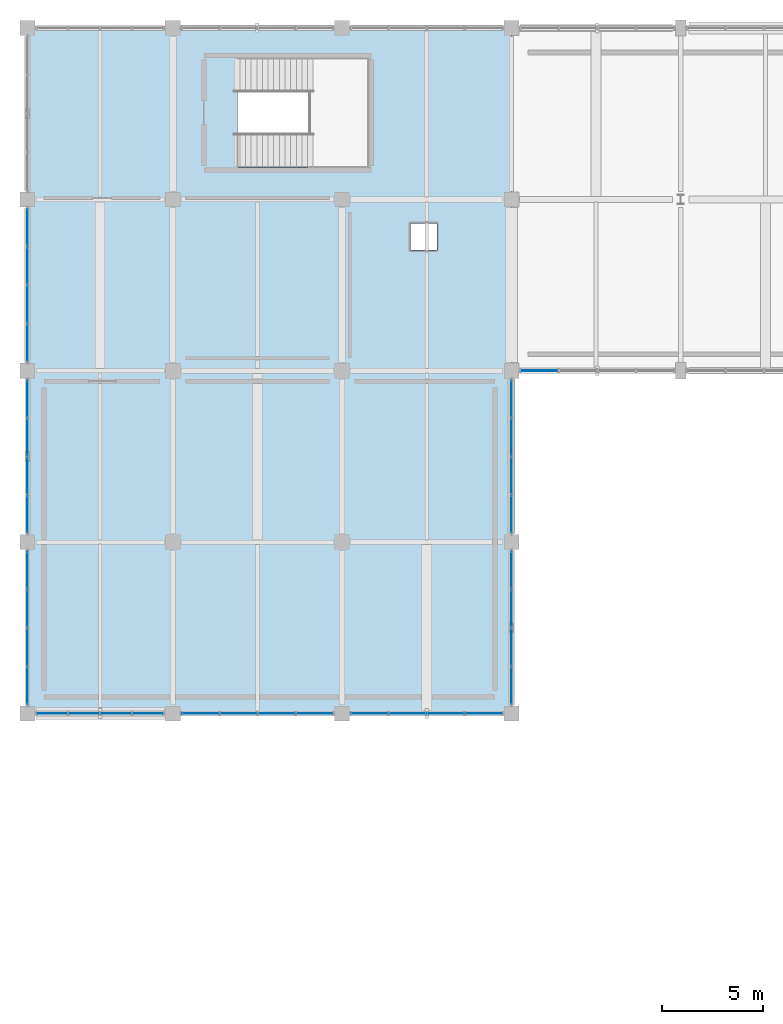
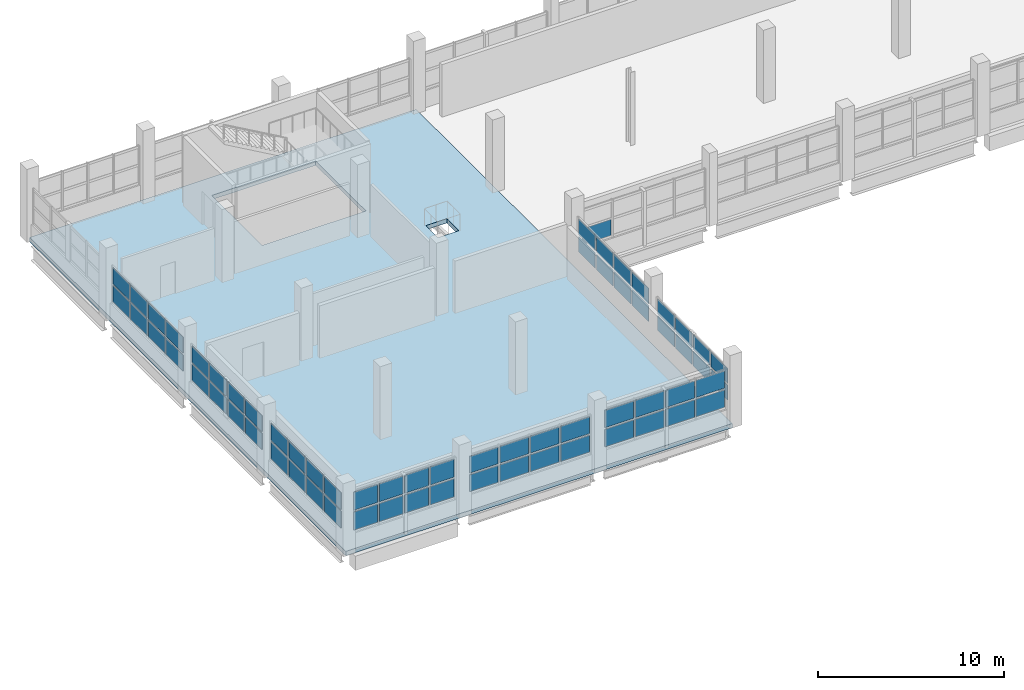
# One storey, part 88 of 117: 65 plates, 1 slab, 9 elements without a shape of their own.
"""IFC4 building model written with IfcOpenShell, lengths in metres."""

import ifcopenshell
import ifcopenshell.guid

model = None  # the IFC model being written
_history = None  # IfcOwnerHistory: only IFC2X3 demands one
_inside = {}  # id of a spatial element -> (the spatial element, [elements in it])
_under = {}  # id of a project, library or spatial element -> (it, [spatial elements below it])
_declared = {}  # id of a project -> (the project, [libraries it declares])
_typed = {}  # id of a type object -> (the type object, [elements of that type])
_made_of = {}  # id of a material, layer set ... -> (it, [elements and type objects made of it])


def new_model(schema):
    """Start an empty IFC model of exactly this schema.

    Asked for "IFC4X3", IfcOpenShell would pick the latest addendum, in which some entities
    have other attributes; the version numbers below select the first issue.
    IFC2X3 requires an IfcOwnerHistory on every rooted entity: one is made here for all.
    """
    global model, _history
    if schema == "IFC4X3":
        model = ifcopenshell.file(schema_version=(4, 3, 0, 0))
    else:
        model = ifcopenshell.file(schema=schema)
    _inside.clear()
    _under.clear()
    _declared.clear()
    _typed.clear()
    _made_of.clear()
    _history = None
    if model.schema == "IFC2X3":
        org = make("IfcOrganization", Name="unknown")
        user = make(
            "IfcPersonAndOrganization",
            ThePerson=make("IfcPerson", FamilyName="unknown"),
            TheOrganization=org,
        )
        app = make(
            "IfcApplication",
            ApplicationDeveloper=org,
            Version="unknown",
            ApplicationFullName="unknown",
            ApplicationIdentifier="unknown",
        )
        _history = make(
            "IfcOwnerHistory",
            OwningUser=user,
            OwningApplication=app,
            ChangeAction="ADDED",
            CreationDate=0,
        )
    return model


def make(cls, **values):
    """One entity of the class cls with the attributes given. An attribute that is None is left unset."""
    return model.create_entity(
        cls, **{name: value for name, value in values.items() if value is not None}
    )


def rooted(cls, **values):
    """An entity with a GlobalId (a new one), such as an element, a storey or a relation."""
    return make(cls, GlobalId=ifcopenshell.guid.new(), OwnerHistory=_history, **values)


def si_unit(unit_type, name, prefix=None):
    """IfcSIUnit, for example si_unit("LENGTHUNIT", "METRE", prefix="MILLI")."""
    return make("IfcSIUnit", UnitType=unit_type, Prefix=prefix, Name=name)


def assignment(units):
    """IfcUnitAssignment: the units of a project."""
    return None if units is None else make("IfcUnitAssignment", Units=units)


def point(xyz):
    """IfcCartesianPoint."""
    return None if xyz is None else make("IfcCartesianPoint", Coordinates=xyz)


def direction(xyz):
    """IfcDirection."""
    return None if xyz is None else make("IfcDirection", DirectionRatios=xyz)


def frame(location, z_axis=None, x_axis=None):
    """IfcAxis2Placement3D, a coordinate frame: its origin and axes. An axis left out is left unset."""
    return make(
        "IfcAxis2Placement3D",
        Location=point(location),
        Axis=direction(z_axis),
        RefDirection=direction(x_axis),
    )


def frame_2d(location, x_axis=None):
    """IfcAxis2Placement2D, a coordinate frame in the plane: its origin and x axis."""
    return make(
        "IfcAxis2Placement2D", Location=point(location), RefDirection=direction(x_axis)
    )


def origin():
    """The frame at (0, 0, 0) with its axes left unset."""
    return frame((0.0, 0.0, 0.0))


def origin_2d():
    """The frame at (0, 0) in the plane with its x axis left unset."""
    return frame_2d((0.0, 0.0))


def place(relative_to, where):
    """IfcLocalPlacement: puts the frame where relative to a parent placement (None: the world)."""
    return make(
        "IfcLocalPlacement", PlacementRelTo=relative_to, RelativePlacement=where
    )


def context(
    kind, dimensions, precision=None, world=None, true_north=None, identifier=None
):
    """IfcGeometricRepresentationContext, for example the 3D "Model" context."""
    return make(
        "IfcGeometricRepresentationContext",
        ContextIdentifier=identifier,
        ContextType=kind,
        CoordinateSpaceDimension=dimensions,
        Precision=precision,
        WorldCoordinateSystem=world,
        TrueNorth=true_north,
    )


def subcontext(parent, identifier, kind, view, scale=None):
    """IfcGeometricRepresentationSubContext, for example "Body" below "Model"."""
    return make(
        "IfcGeometricRepresentationSubContext",
        ContextIdentifier=identifier,
        ContextType=kind,
        ParentContext=parent,
        TargetScale=scale,
        TargetView=view,
    )


def project(units=None, contexts=None):
    """IfcProject with its units and contexts."""
    return rooted(
        "IfcProject",
        Name="project",
        RepresentationContexts=contexts,
        UnitsInContext=assignment(units),
    )


def spatial(cls, under=None, at=None, **own):
    """A site, building, storey or space (cls), placed at a placement, below another one or the project."""
    s = rooted(cls, ObjectPlacement=at, **own)
    if under is not None:
        _under.setdefault(under.id(), (under, []))[1].append(s)
    return s


def polyline(points):
    """IfcPolyline through the points."""
    return make("IfcPolyline", Points=[point(p) for p in points])


def profile(cls, at=None, kind="AREA", **sizes):
    """A parametric profile (cls). Its sizes go by their IFC names, for example OverallWidth=200.0."""
    return make(cls, ProfileType=kind, Position=at, **sizes)


def rectangle(**sizes):
    """IfcRectangleProfileDef."""
    return profile("IfcRectangleProfileDef", **sizes)


def outline(outer, holes=None, kind="AREA"):
    """IfcArbitraryClosedProfileDef: a profile drawn as a closed curve; with holes, ...WithVoids."""
    if holes is None:
        return make("IfcArbitraryClosedProfileDef", ProfileType=kind, OuterCurve=outer)
    return make(
        "IfcArbitraryProfileDefWithVoids",
        ProfileType=kind,
        OuterCurve=outer,
        InnerCurves=holes,
    )


def extrude(swept, where, along, depth):
    """IfcExtrudedAreaSolid: the profile swept, set in the frame where, extruded along a direction by depth."""
    return make(
        "IfcExtrudedAreaSolid",
        SweptArea=swept,
        Position=where,
        ExtrudedDirection=direction(along),
        Depth=depth,
    )


def shape(context_of_items, identifier, shape_type, items):
    """IfcShapeRepresentation: the items that make up one representation, for example the "Body"."""
    return make(
        "IfcShapeRepresentation",
        ContextOfItems=context_of_items,
        RepresentationIdentifier=identifier,
        RepresentationType=shape_type,
        Items=items,
    )


def material(Name=None, Category=None):
    """IfcMaterial."""
    return make("IfcMaterial", Name=Name, Category=Category)


def layer(
    of_material, thickness, ventilated=None, Name=None, Category=None, Priority=None
):
    """IfcMaterialLayer: one layer of a wall or slab, of a material (None: an air gap)."""
    return make(
        "IfcMaterialLayer",
        Material=of_material,
        LayerThickness=thickness,
        IsVentilated=ventilated,
        Name=Name,
        Category=Category,
        Priority=Priority,
    )


def layer_set(layers, Name=None):
    """IfcMaterialLayerSet."""
    return make("IfcMaterialLayerSet", MaterialLayers=layers, LayerSetName=Name)


def made_of(thing, what):
    """Note that an element or type object is made of a material, layer set ...; save() writes the relation."""
    if what is not None:
        _made_of.setdefault(what.id(), (what, []))[1].append(thing)
    return thing


def type_object(cls, material=None, **own):
    """A type object (cls), such as IfcWallType, which elements share."""
    return made_of(rooted(cls, **own), material)


def element(
    cls,
    number,
    at=None,
    inside=None,
    cuts=None,
    type_object=None,
    material=None,
    context=None,
    identifier="Body",
    shape_type=None,
    held_by="IfcProductDefinitionShape",
    body=None,
    shapes=None,
    **own,
):
    """One element of the class cls, such as IfcWall. Its Tag is "e" and its number.

    at: its placement. inside: the storey or other place that contains it. cuts: it is an
    opening in that element (IfcRelVoidsElement). A single representation is given by context,
    identifier, shape_type and body (its items); several are given by shapes. held_by: the class
    of the entity that holds the representations. save() writes the other relations.
    """
    e = rooted(cls, Tag="e%d" % number, ObjectPlacement=at, **own)
    if body is not None:
        shapes = [shape(context, identifier, shape_type, body)]
    if shapes is not None:
        e.Representation = make(held_by, Representations=shapes)
    if inside is not None:
        _inside.setdefault(inside.id(), (inside, []))[1].append(e)
    if cuts is not None:
        rooted(
            "IfcRelVoidsElement", RelatingBuildingElement=cuts, RelatedOpeningElement=e
        )
    if type_object is not None:
        _typed.setdefault(type_object.id(), (type_object, []))[1].append(e)
    return made_of(e, material)


def aggregate(whole, parts):
    """IfcRelAggregates: a whole, such as a stair, and the parts it consists of."""
    return rooted("IfcRelAggregates", RelatingObject=whole, RelatedObjects=parts)


def save(model, path):
    """Write the relations noted so far, then the file.

    IfcRelAggregates (storeys below a building ...), IfcRelContainedInSpatialStructure (elements
    in a storey), IfcRelDefinesByType, IfcRelAssociatesMaterial and IfcRelDeclares: one each for
    every whole, place, type object, material and project.
    """
    for whole, parts in _under.values():
        aggregate(whole, parts)
    for where, things in _inside.values():
        rooted(
            "IfcRelContainedInSpatialStructure",
            RelatedElements=things,
            RelatingStructure=where,
        )
    for kind, things in _typed.values():
        rooted("IfcRelDefinesByType", RelatedObjects=things, RelatingType=kind)
    for what, things in _made_of.values():
        rooted("IfcRelAssociatesMaterial", RelatedObjects=things, RelatingMaterial=what)
    for by, libraries in _declared.values():
        rooted("IfcRelDeclares", RelatingContext=by, RelatedDefinitions=libraries)
    model.write(path)


model = new_model("IFC4")

# Units and contexts
model_context = context("Model", 3, precision=1e-05, world=origin(), true_north=direction((0.0, 1.0)))
body_context = subcontext(model_context, "Body", "Model", "MODEL_VIEW")
ifc_project = project(units=[si_unit("LENGTHUNIT", "METRE"), si_unit("AREAUNIT", "SQUARE_METRE"), si_unit("VOLUMEUNIT", "CUBIC_METRE"), si_unit("PLANEANGLEUNIT", "RADIAN"), si_unit("MASSUNIT", "GRAM", prefix="KILO")], contexts=[model_context])

# Site, building, storey
site_placement = place(None, origin())
site = spatial("IfcSite", under=ifc_project, at=site_placement, CompositionType="ELEMENT")
building_placement = place(site_placement, origin())
building = spatial("IfcBuilding", under=site, at=building_placement, Name="Solvento Point Concert Hall", CompositionType="ELEMENT")
storey_placement = place(building_placement, frame((0.0, 0.0, 5.39990234375)))
storey = spatial("IfcBuildingStorey", under=building, at=storey_placement, Name="L01", CompositionType="ELEMENT", Elevation=5.39990234375)

# Curtain wall, plates
ifc_material_1 = material(Name="Anodized Bronze Aluminium", Category="aluminium")
curtain_wall_type = type_object("IfcCurtainWallType", Name="CurtainWall_CourtPilotis", PredefinedType="USERDEFINED", material=ifc_material_1)
curtain_wall_1_placement = place(storey_placement, origin())
curtain_wall_1 = element("IfcCurtainWall", 1, at=curtain_wall_1_placement, inside=storey, type_object=curtain_wall_type, Name="Unitised curtain wall CW-96 UCW-L01-119", ObjectType="UNITISED CURTAIN WALL", PredefinedType="USERDEFINED")
ifc_material_2 = material(Name="Hurricane Laminated Low-E Glass", Category="glass")
plate_type = type_object("IfcPlateType", Name="CurtainPanel_CourtPilotis", PredefinedType="CURTAIN_PANEL", material=ifc_material_2)
plate_1_placement = place(storey_placement, frame((0.0, 103.381103515625, 1.239990234375), z_axis=(0.0, 0.0, 1.0), x_axis=(0.0, 1.0, 0.0)))
plate_1 = element("IfcPlate", 2, at=plate_1_placement, type_object=plate_type, Name="Glazed curtain panel GL-06", PredefinedType="CURTAIN_PANEL", context=body_context, shape_type="SweptSolid", body=[
    extrude(rectangle(XDim=1.79248046875, YDim=0.030029296875, at=origin_2d()), origin(), (0.0, 0.0, 1.0), 1.10205078125),
])
plate_2_placement = place(storey_placement, frame((0.0, 103.381103515625, 2.462158203125), z_axis=(0.0, 0.0, 1.0), x_axis=(0.0, 1.0, 0.0)))
plate_2 = element("IfcPlate", 3, at=plate_2_placement, type_object=plate_type, Name="Glazed curtain panel GL-06", PredefinedType="CURTAIN_PANEL", context=body_context, shape_type="SweptSolid", body=[
    extrude(rectangle(XDim=1.79248046875, YDim=0.030029296875, at=origin_2d()), origin(), (0.0, 0.0, 1.0), 1.10205078125),
])
plate_3_placement = place(storey_placement, frame((0.0, 105.293701171875, 1.239990234375), z_axis=(0.0, 0.0, 1.0), x_axis=(0.0, 1.0, 0.0)))
plate_3 = element("IfcPlate", 4, at=plate_3_placement, type_object=plate_type, Name="Glazed curtain panel GL-06", PredefinedType="CURTAIN_PANEL", context=body_context, shape_type="SweptSolid", body=[
    extrude(rectangle(XDim=1.79248046875, YDim=0.030029296875, at=origin_2d()), origin(), (0.0, 0.0, 1.0), 1.10205078125),
])
plate_4_placement = place(storey_placement, frame((0.0, 105.293701171875, 2.462158203125), z_axis=(0.0, 0.0, 1.0), x_axis=(0.0, 1.0, 0.0)))
plate_4 = element("IfcPlate", 5, at=plate_4_placement, type_object=plate_type, Name="Glazed curtain panel GL-06", PredefinedType="CURTAIN_PANEL", context=body_context, shape_type="SweptSolid", body=[
    extrude(rectangle(XDim=1.79248046875, YDim=0.030029296875, at=origin_2d()), origin(), (0.0, 0.0, 1.0), 1.10205078125),
])
plate_5_placement = place(storey_placement, frame((0.0, 107.206298828125, 1.239990234375), z_axis=(0.0, 0.0, 1.0), x_axis=(0.0, 1.0, 0.0)))
plate_5 = element("IfcPlate", 6, at=plate_5_placement, type_object=plate_type, Name="Glazed curtain panel GL-06", PredefinedType="CURTAIN_PANEL", context=body_context, shape_type="SweptSolid", body=[
    extrude(rectangle(XDim=1.79248046875, YDim=0.030029296875, at=origin_2d()), origin(), (0.0, 0.0, 1.0), 1.10205078125),
])
plate_6_placement = place(storey_placement, frame((0.0, 107.206298828125, 2.462158203125), z_axis=(0.0, 0.0, 1.0), x_axis=(0.0, 1.0, 0.0)))
plate_6 = element("IfcPlate", 7, at=plate_6_placement, type_object=plate_type, Name="Glazed curtain panel GL-06", PredefinedType="CURTAIN_PANEL", context=body_context, shape_type="SweptSolid", body=[
    extrude(rectangle(XDim=1.79248046875, YDim=0.030029296875, at=origin_2d()), origin(), (0.0, 0.0, 1.0), 1.10205078125),
])
plate_7_placement = place(storey_placement, frame((0.0, 109.118896484375, 1.239990234375), z_axis=(0.0, 0.0, 1.0), x_axis=(0.0, 1.0, 0.0)))
plate_7 = element("IfcPlate", 8, at=plate_7_placement, type_object=plate_type, Name="Glazed curtain panel GL-06", PredefinedType="CURTAIN_PANEL", context=body_context, shape_type="SweptSolid", body=[
    extrude(rectangle(XDim=1.79248046875, YDim=0.030029296875, at=origin_2d()), origin(), (0.0, 0.0, 1.0), 1.10205078125),
])
plate_8_placement = place(storey_placement, frame((0.0, 109.118896484375, 2.462158203125), z_axis=(0.0, 0.0, 1.0), x_axis=(0.0, 1.0, 0.0)))
plate_8 = element("IfcPlate", 9, at=plate_8_placement, type_object=plate_type, Name="Glazed curtain panel GL-06", PredefinedType="CURTAIN_PANEL", context=body_context, shape_type="SweptSolid", body=[
    extrude(rectangle(XDim=1.79248046875, YDim=0.030029296875, at=origin_2d()), origin(), (0.0, 0.0, 1.0), 1.10205078125),
])
aggregate(curtain_wall_1, [plate_1, plate_2, plate_3, plate_4, plate_5, plate_6, plate_7, plate_8])

curtain_wall_2_placement = place(storey_placement, origin())
curtain_wall_2 = element("IfcCurtainWall", 10, at=curtain_wall_2_placement, inside=storey, type_object=curtain_wall_type, Name="Unitised curtain wall CW-96 UCW-L01-120", ObjectType="UNITISED CURTAIN WALL", PredefinedType="USERDEFINED")
plate_9_placement = place(storey_placement, frame((0.0, 111.881103515625, 1.239990234375), z_axis=(0.0, 0.0, 1.0), x_axis=(0.0, 1.0, 0.0)))
plate_9 = element("IfcPlate", 11, at=plate_9_placement, type_object=plate_type, Name="Glazed curtain panel GL-06", PredefinedType="CURTAIN_PANEL", context=body_context, shape_type="SweptSolid", body=[
    extrude(rectangle(XDim=1.79248046875, YDim=0.030029296875, at=origin_2d()), origin(), (0.0, 0.0, 1.0), 1.0576171875),
])
plate_10_placement = place(storey_placement, frame((0.0, 111.881103515625, 2.41748046875), z_axis=(0.0, 0.0, 1.0), x_axis=(0.0, 1.0, 0.0)))
plate_10 = element("IfcPlate", 12, at=plate_10_placement, type_object=plate_type, Name="Glazed curtain panel GL-06", PredefinedType="CURTAIN_PANEL", context=body_context, shape_type="SweptSolid", body=[
    extrude(rectangle(XDim=1.79248046875, YDim=0.030029296875, at=origin_2d()), origin(), (0.0, 0.0, 1.0), 1.0576171875),
])
plate_11_placement = place(storey_placement, frame((0.0, 113.793701171875, 1.239990234375), z_axis=(0.0, 0.0, 1.0), x_axis=(0.0, 1.0, 0.0)))
plate_11 = element("IfcPlate", 13, at=plate_11_placement, type_object=plate_type, Name="Glazed curtain panel GL-06", PredefinedType="CURTAIN_PANEL", context=body_context, shape_type="SweptSolid", body=[
    extrude(rectangle(XDim=1.79248046875, YDim=0.030029296875, at=origin_2d()), origin(), (0.0, 0.0, 1.0), 1.0576171875),
])
plate_12_placement = place(storey_placement, frame((0.0, 113.793701171875, 2.41748046875), z_axis=(0.0, 0.0, 1.0), x_axis=(0.0, 1.0, 0.0)))
plate_12 = element("IfcPlate", 14, at=plate_12_placement, type_object=plate_type, Name="Glazed curtain panel GL-06", PredefinedType="CURTAIN_PANEL", context=body_context, shape_type="SweptSolid", body=[
    extrude(rectangle(XDim=1.79248046875, YDim=0.030029296875, at=origin_2d()), origin(), (0.0, 0.0, 1.0), 1.0576171875),
])
plate_13_placement = place(storey_placement, frame((0.0, 115.706298828125, 1.239990234375), z_axis=(0.0, 0.0, 1.0), x_axis=(0.0, 1.0, 0.0)))
plate_13 = element("IfcPlate", 15, at=plate_13_placement, type_object=plate_type, Name="Glazed curtain panel GL-06", PredefinedType="CURTAIN_PANEL", context=body_context, shape_type="SweptSolid", body=[
    extrude(rectangle(XDim=1.79248046875, YDim=0.030029296875, at=origin_2d()), origin(), (0.0, 0.0, 1.0), 1.0576171875),
])
plate_14_placement = place(storey_placement, frame((0.0, 115.706298828125, 2.41748046875), z_axis=(0.0, 0.0, 1.0), x_axis=(0.0, 1.0, 0.0)))
plate_14 = element("IfcPlate", 16, at=plate_14_placement, type_object=plate_type, Name="Glazed curtain panel GL-06", PredefinedType="CURTAIN_PANEL", context=body_context, shape_type="SweptSolid", body=[
    extrude(rectangle(XDim=1.79248046875, YDim=0.030029296875, at=origin_2d()), origin(), (0.0, 0.0, 1.0), 1.0576171875),
])
plate_15_placement = place(storey_placement, frame((0.0, 117.618896484375, 1.239990234375), z_axis=(0.0, 0.0, 1.0), x_axis=(0.0, 1.0, 0.0)))
plate_15 = element("IfcPlate", 17, at=plate_15_placement, type_object=plate_type, Name="Glazed curtain panel GL-06", PredefinedType="CURTAIN_PANEL", context=body_context, shape_type="SweptSolid", body=[
    extrude(rectangle(XDim=1.79248046875, YDim=0.030029296875, at=origin_2d()), origin(), (0.0, 0.0, 1.0), 1.0576171875),
])
plate_16_placement = place(storey_placement, frame((0.0, 117.618896484375, 2.41748046875), z_axis=(0.0, 0.0, 1.0), x_axis=(0.0, 1.0, 0.0)))
plate_16 = element("IfcPlate", 18, at=plate_16_placement, type_object=plate_type, Name="Glazed curtain panel GL-06", PredefinedType="CURTAIN_PANEL", context=body_context, shape_type="SweptSolid", body=[
    extrude(rectangle(XDim=1.79248046875, YDim=0.030029296875, at=origin_2d()), origin(), (0.0, 0.0, 1.0), 1.0576171875),
])
aggregate(curtain_wall_2, [plate_9, plate_10, plate_11, plate_12, plate_13, plate_14, plate_15, plate_16])

curtain_wall_3_placement = place(storey_placement, origin())
curtain_wall_3 = element("IfcCurtainWall", 19, at=curtain_wall_3_placement, inside=storey, type_object=curtain_wall_type, Name="Unitised curtain wall CW-96 UCW-L01-121", ObjectType="UNITISED CURTAIN WALL", PredefinedType="USERDEFINED")
plate_17_placement = place(storey_placement, frame((0.0, 120.381103515625, 1.240234375), z_axis=(0.0, 0.0, 1.0), x_axis=(0.0, 1.0, 0.0)))
plate_17 = element("IfcPlate", 20, at=plate_17_placement, type_object=plate_type, Name="Glazed curtain panel GL-06", PredefinedType="CURTAIN_PANEL", context=body_context, shape_type="SweptSolid", body=[
    extrude(rectangle(XDim=1.79248046875, YDim=0.030029296875, at=origin_2d()), origin(), (0.0, 0.0, 1.0), 1.053466796875),
])
plate_18_placement = place(storey_placement, frame((0.0, 120.381103515625, 2.41357421875), z_axis=(0.0, 0.0, 1.0), x_axis=(0.0, 1.0, 0.0)))
plate_18 = element("IfcPlate", 21, at=plate_18_placement, type_object=plate_type, Name="Glazed curtain panel GL-06", PredefinedType="CURTAIN_PANEL", context=body_context, shape_type="SweptSolid", body=[
    extrude(rectangle(XDim=1.79248046875, YDim=0.030029296875, at=origin_2d()), origin(), (0.0, 0.0, 1.0), 1.053466796875),
])
plate_19_placement = place(storey_placement, frame((0.0, 122.293701171875, 1.240234375), z_axis=(0.0, 0.0, 1.0), x_axis=(0.0, 1.0, 0.0)))
plate_19 = element("IfcPlate", 22, at=plate_19_placement, type_object=plate_type, Name="Glazed curtain panel GL-06", PredefinedType="CURTAIN_PANEL", context=body_context, shape_type="SweptSolid", body=[
    extrude(rectangle(XDim=1.79248046875, YDim=0.030029296875, at=origin_2d()), origin(), (0.0, 0.0, 1.0), 1.053466796875),
])
plate_20_placement = place(storey_placement, frame((0.0, 122.293701171875, 2.41357421875), z_axis=(0.0, 0.0, 1.0), x_axis=(0.0, 1.0, 0.0)))
plate_20 = element("IfcPlate", 23, at=plate_20_placement, type_object=plate_type, Name="Glazed curtain panel GL-06", PredefinedType="CURTAIN_PANEL", context=body_context, shape_type="SweptSolid", body=[
    extrude(rectangle(XDim=1.79248046875, YDim=0.030029296875, at=origin_2d()), origin(), (0.0, 0.0, 1.0), 1.053466796875),
])
plate_21_placement = place(storey_placement, frame((0.0, 124.206298828125, 1.240234375), z_axis=(0.0, 0.0, 1.0), x_axis=(0.0, 1.0, 0.0)))
plate_21 = element("IfcPlate", 24, at=plate_21_placement, type_object=plate_type, Name="Glazed curtain panel GL-06", PredefinedType="CURTAIN_PANEL", context=body_context, shape_type="SweptSolid", body=[
    extrude(rectangle(XDim=1.79248046875, YDim=0.030029296875, at=origin_2d()), origin(), (0.0, 0.0, 1.0), 1.053466796875),
])
plate_22_placement = place(storey_placement, frame((0.0, 124.206298828125, 2.41357421875), z_axis=(0.0, 0.0, 1.0), x_axis=(0.0, 1.0, 0.0)))
plate_22 = element("IfcPlate", 25, at=plate_22_placement, type_object=plate_type, Name="Glazed curtain panel GL-06", PredefinedType="CURTAIN_PANEL", context=body_context, shape_type="SweptSolid", body=[
    extrude(rectangle(XDim=1.79248046875, YDim=0.030029296875, at=origin_2d()), origin(), (0.0, 0.0, 1.0), 1.053466796875),
])
plate_23_placement = place(storey_placement, frame((0.0, 126.118896484375, 1.240234375), z_axis=(0.0, 0.0, 1.0), x_axis=(0.0, 1.0, 0.0)))
plate_23 = element("IfcPlate", 26, at=plate_23_placement, type_object=plate_type, Name="Glazed curtain panel GL-06", PredefinedType="CURTAIN_PANEL", context=body_context, shape_type="SweptSolid", body=[
    extrude(rectangle(XDim=1.79248046875, YDim=0.030029296875, at=origin_2d()), origin(), (0.0, 0.0, 1.0), 1.053466796875),
])
plate_24_placement = place(storey_placement, frame((0.0, 126.118896484375, 2.41357421875), z_axis=(0.0, 0.0, 1.0), x_axis=(0.0, 1.0, 0.0)))
plate_24 = element("IfcPlate", 27, at=plate_24_placement, type_object=plate_type, Name="Glazed curtain panel GL-06", PredefinedType="CURTAIN_PANEL", context=body_context, shape_type="SweptSolid", body=[
    extrude(rectangle(XDim=1.79248046875, YDim=0.030029296875, at=origin_2d()), origin(), (0.0, 0.0, 1.0), 1.053466796875),
])
aggregate(curtain_wall_3, [plate_17, plate_18, plate_19, plate_20, plate_21, plate_22, plate_23, plate_24])

# Curtain wall, plate
curtain_wall_4_placement = place(storey_placement, origin())
curtain_wall_4 = element("IfcCurtainWall", 28, at=curtain_wall_4_placement, inside=storey, type_object=curtain_wall_type, Name="Unitised curtain wall CW-96 UCW-L01-134", ObjectType="UNITISED CURTAIN WALL", PredefinedType="USERDEFINED")
plate_25_placement = place(storey_placement, frame((25.384521484375, 119.0, 1.240234375), z_axis=(0.0, 0.0, 1.0), x_axis=(1.0, 0.0, 0.0)))
plate_25 = element("IfcPlate", 29, at=plate_25_placement, type_object=plate_type, Name="Glazed curtain panel GL-06", PredefinedType="CURTAIN_PANEL", context=body_context, shape_type="SweptSolid", body=[
    extrude(rectangle(XDim=1.798828125, YDim=0.030029296875, at=origin_2d()), origin(), (0.0, 0.0, 1.0), 1.053466796875),
])
aggregate(curtain_wall_4, [plate_25])

# Curtain wall, plates
curtain_wall_5_placement = place(storey_placement, origin())
curtain_wall_5 = element("IfcCurtainWall", 30, at=curtain_wall_5_placement, inside=storey, type_object=curtain_wall_type, Name="Unitised curtain wall CW-96 UCW-L01-140", ObjectType="UNITISED CURTAIN WALL", PredefinedType="USERDEFINED")
plate_26_placement = place(storey_placement, frame((24.0, 103.381103515625, 1.239990234375), z_axis=(0.0, 0.0, 1.0), x_axis=(0.0, 1.0, 0.0)))
plate_26 = element("IfcPlate", 31, at=plate_26_placement, type_object=plate_type, Name="Glazed curtain panel GL-06", PredefinedType="CURTAIN_PANEL", context=body_context, shape_type="SweptSolid", body=[
    extrude(rectangle(XDim=1.79248046875, YDim=0.030029296875, at=origin_2d()), origin(), (0.0, 0.0, 1.0), 0.97412109375),
])
plate_27_placement = place(storey_placement, frame((24.0, 103.381103515625, 2.333984375), z_axis=(0.0, 0.0, 1.0), x_axis=(0.0, 1.0, 0.0)))
plate_27 = element("IfcPlate", 32, at=plate_27_placement, type_object=plate_type, Name="Glazed curtain panel GL-06", PredefinedType="CURTAIN_PANEL", context=body_context, shape_type="SweptSolid", body=[
    extrude(rectangle(XDim=1.79248046875, YDim=0.030029296875, at=origin_2d()), origin(), (0.0, 0.0, 1.0), 0.97412109375),
])
plate_28_placement = place(storey_placement, frame((24.0, 105.293701171875, 1.239990234375), z_axis=(0.0, 0.0, 1.0), x_axis=(0.0, 1.0, 0.0)))
plate_28 = element("IfcPlate", 33, at=plate_28_placement, type_object=plate_type, Name="Glazed curtain panel GL-06", PredefinedType="CURTAIN_PANEL", context=body_context, shape_type="SweptSolid", body=[
    extrude(rectangle(XDim=1.79248046875, YDim=0.030029296875, at=origin_2d()), origin(), (0.0, 0.0, 1.0), 0.97412109375),
])
plate_29_placement = place(storey_placement, frame((24.0, 105.293701171875, 2.333984375), z_axis=(0.0, 0.0, 1.0), x_axis=(0.0, 1.0, 0.0)))
plate_29 = element("IfcPlate", 34, at=plate_29_placement, type_object=plate_type, Name="Glazed curtain panel GL-06", PredefinedType="CURTAIN_PANEL", context=body_context, shape_type="SweptSolid", body=[
    extrude(rectangle(XDim=1.79248046875, YDim=0.030029296875, at=origin_2d()), origin(), (0.0, 0.0, 1.0), 0.97412109375),
])
plate_30_placement = place(storey_placement, frame((24.0, 107.206298828125, 1.239990234375), z_axis=(0.0, 0.0, 1.0), x_axis=(0.0, 1.0, 0.0)))
plate_30 = element("IfcPlate", 35, at=plate_30_placement, type_object=plate_type, Name="Glazed curtain panel GL-06", PredefinedType="CURTAIN_PANEL", context=body_context, shape_type="SweptSolid", body=[
    extrude(rectangle(XDim=1.79248046875, YDim=0.030029296875, at=origin_2d()), origin(), (0.0, 0.0, 1.0), 0.97412109375),
])
plate_31_placement = place(storey_placement, frame((24.0, 107.206298828125, 2.333984375), z_axis=(0.0, 0.0, 1.0), x_axis=(0.0, 1.0, 0.0)))
plate_31 = element("IfcPlate", 36, at=plate_31_placement, type_object=plate_type, Name="Glazed curtain panel GL-06", PredefinedType="CURTAIN_PANEL", context=body_context, shape_type="SweptSolid", body=[
    extrude(rectangle(XDim=1.79248046875, YDim=0.030029296875, at=origin_2d()), origin(), (0.0, 0.0, 1.0), 0.97412109375),
])
plate_32_placement = place(storey_placement, frame((24.0, 109.118896484375, 1.239990234375), z_axis=(0.0, 0.0, 1.0), x_axis=(0.0, 1.0, 0.0)))
plate_32 = element("IfcPlate", 37, at=plate_32_placement, type_object=plate_type, Name="Glazed curtain panel GL-06", PredefinedType="CURTAIN_PANEL", context=body_context, shape_type="SweptSolid", body=[
    extrude(rectangle(XDim=1.79248046875, YDim=0.030029296875, at=origin_2d()), origin(), (0.0, 0.0, 1.0), 0.97412109375),
])
plate_33_placement = place(storey_placement, frame((24.0, 109.118896484375, 2.333984375), z_axis=(0.0, 0.0, 1.0), x_axis=(0.0, 1.0, 0.0)))
plate_33 = element("IfcPlate", 38, at=plate_33_placement, type_object=plate_type, Name="Glazed curtain panel GL-06", PredefinedType="CURTAIN_PANEL", context=body_context, shape_type="SweptSolid", body=[
    extrude(rectangle(XDim=1.79248046875, YDim=0.030029296875, at=origin_2d()), origin(), (0.0, 0.0, 1.0), 0.97412109375),
])
aggregate(curtain_wall_5, [plate_26, plate_27, plate_28, plate_29, plate_30, plate_31, plate_32, plate_33])

curtain_wall_6_placement = place(storey_placement, origin())
curtain_wall_6 = element("IfcCurtainWall", 39, at=curtain_wall_6_placement, inside=storey, type_object=curtain_wall_type, Name="Unitised curtain wall CW-96 UCW-L01-141", ObjectType="UNITISED CURTAIN WALL", PredefinedType="USERDEFINED")
plate_34_placement = place(storey_placement, frame((24.0, 111.881103515625, 1.240234375), z_axis=(0.0, 0.0, 1.0), x_axis=(0.0, 1.0, 0.0)))
plate_34 = element("IfcPlate", 40, at=plate_34_placement, type_object=plate_type, Name="Glazed curtain panel GL-06", PredefinedType="CURTAIN_PANEL", context=body_context, shape_type="SweptSolid", body=[
    extrude(rectangle(XDim=1.79248046875, YDim=0.030029296875, at=origin_2d()), origin(), (0.0, 0.0, 1.0), 1.027099609375),
])
plate_35_placement = place(storey_placement, frame((24.0, 111.881103515625, 2.38720703125), z_axis=(0.0, 0.0, 1.0), x_axis=(0.0, 1.0, 0.0)))
plate_35 = element("IfcPlate", 41, at=plate_35_placement, type_object=plate_type, Name="Glazed curtain panel GL-06", PredefinedType="CURTAIN_PANEL", context=body_context, shape_type="SweptSolid", body=[
    extrude(rectangle(XDim=1.79248046875, YDim=0.030029296875, at=origin_2d()), origin(), (0.0, 0.0, 1.0), 1.027099609375),
])
plate_36_placement = place(storey_placement, frame((24.0, 113.793701171875, 1.240234375), z_axis=(0.0, 0.0, 1.0), x_axis=(0.0, 1.0, 0.0)))
plate_36 = element("IfcPlate", 42, at=plate_36_placement, type_object=plate_type, Name="Glazed curtain panel GL-06", PredefinedType="CURTAIN_PANEL", context=body_context, shape_type="SweptSolid", body=[
    extrude(rectangle(XDim=1.79248046875, YDim=0.030029296875, at=origin_2d()), origin(), (0.0, 0.0, 1.0), 1.027099609375),
])
plate_37_placement = place(storey_placement, frame((24.0, 113.793701171875, 2.38720703125), z_axis=(0.0, 0.0, 1.0), x_axis=(0.0, 1.0, 0.0)))
plate_37 = element("IfcPlate", 43, at=plate_37_placement, type_object=plate_type, Name="Glazed curtain panel GL-06", PredefinedType="CURTAIN_PANEL", context=body_context, shape_type="SweptSolid", body=[
    extrude(rectangle(XDim=1.79248046875, YDim=0.030029296875, at=origin_2d()), origin(), (0.0, 0.0, 1.0), 1.027099609375),
])
plate_38_placement = place(storey_placement, frame((24.0, 115.706298828125, 1.240234375), z_axis=(0.0, 0.0, 1.0), x_axis=(0.0, 1.0, 0.0)))
plate_38 = element("IfcPlate", 44, at=plate_38_placement, type_object=plate_type, Name="Glazed curtain panel GL-06", PredefinedType="CURTAIN_PANEL", context=body_context, shape_type="SweptSolid", body=[
    extrude(rectangle(XDim=1.79248046875, YDim=0.030029296875, at=origin_2d()), origin(), (0.0, 0.0, 1.0), 1.027099609375),
])
plate_39_placement = place(storey_placement, frame((24.0, 115.706298828125, 2.38720703125), z_axis=(0.0, 0.0, 1.0), x_axis=(0.0, 1.0, 0.0)))
plate_39 = element("IfcPlate", 45, at=plate_39_placement, type_object=plate_type, Name="Glazed curtain panel GL-06", PredefinedType="CURTAIN_PANEL", context=body_context, shape_type="SweptSolid", body=[
    extrude(rectangle(XDim=1.79248046875, YDim=0.030029296875, at=origin_2d()), origin(), (0.0, 0.0, 1.0), 1.027099609375),
])
plate_40_placement = place(storey_placement, frame((24.0, 117.618896484375, 1.240234375), z_axis=(0.0, 0.0, 1.0), x_axis=(0.0, 1.0, 0.0)))
plate_40 = element("IfcPlate", 46, at=plate_40_placement, type_object=plate_type, Name="Glazed curtain panel GL-06", PredefinedType="CURTAIN_PANEL", context=body_context, shape_type="SweptSolid", body=[
    extrude(rectangle(XDim=1.79248046875, YDim=0.030029296875, at=origin_2d()), origin(), (0.0, 0.0, 1.0), 1.027099609375),
])
plate_41_placement = place(storey_placement, frame((24.0, 117.618896484375, 2.38720703125), z_axis=(0.0, 0.0, 1.0), x_axis=(0.0, 1.0, 0.0)))
plate_41 = element("IfcPlate", 47, at=plate_41_placement, type_object=plate_type, Name="Glazed curtain panel GL-06", PredefinedType="CURTAIN_PANEL", context=body_context, shape_type="SweptSolid", body=[
    extrude(rectangle(XDim=1.79248046875, YDim=0.030029296875, at=origin_2d()), origin(), (0.0, 0.0, 1.0), 1.027099609375),
])
aggregate(curtain_wall_6, [plate_34, plate_35, plate_36, plate_37, plate_38, plate_39, plate_40, plate_41])

curtain_wall_7_placement = place(storey_placement, origin())
curtain_wall_7 = element("IfcCurtainWall", 48, at=curtain_wall_7_placement, inside=storey, type_object=curtain_wall_type, Name="Unitised curtain wall CW-96 UCW-L01-142", ObjectType="UNITISED CURTAIN WALL", PredefinedType="USERDEFINED")
plate_42_placement = place(storey_placement, frame((1.21875, 102.0, 1.239990234375), z_axis=(0.0, 0.0, 1.0), x_axis=(1.0, 0.0, 0.0)))
plate_42 = element("IfcPlate", 49, at=plate_42_placement, type_object=plate_type, Name="Glazed curtain panel GL-06", PredefinedType="CURTAIN_PANEL", context=body_context, shape_type="SweptSolid", body=[
    extrude(rectangle(XDim=1.467529296875, YDim=0.030029296875, at=origin_2d()), origin(), (0.0, 0.0, 1.0), 1.18310546875),
])
plate_43_placement = place(storey_placement, frame((1.21875, 102.0, 2.54296875), z_axis=(0.0, 0.0, 1.0), x_axis=(1.0, 0.0, 0.0)))
plate_43 = element("IfcPlate", 50, at=plate_43_placement, type_object=plate_type, Name="Glazed curtain panel GL-06", PredefinedType="CURTAIN_PANEL", context=body_context, shape_type="SweptSolid", body=[
    extrude(rectangle(XDim=1.467529296875, YDim=0.030029296875, at=origin_2d()), origin(), (0.0, 0.0, 1.0), 1.18310546875),
])
plate_44_placement = place(storey_placement, frame((2.80615234375, 102.0, 1.239990234375), z_axis=(0.0, 0.0, 1.0), x_axis=(1.0, 0.0, 0.0)))
plate_44 = element("IfcPlate", 51, at=plate_44_placement, type_object=plate_type, Name="Glazed curtain panel GL-06", PredefinedType="CURTAIN_PANEL", context=body_context, shape_type="SweptSolid", body=[
    extrude(rectangle(XDim=1.467529296875, YDim=0.030029296875, at=origin_2d()), origin(), (0.0, 0.0, 1.0), 1.18310546875),
])
plate_45_placement = place(storey_placement, frame((2.80615234375, 102.0, 2.54296875), z_axis=(0.0, 0.0, 1.0), x_axis=(1.0, 0.0, 0.0)))
plate_45 = element("IfcPlate", 52, at=plate_45_placement, type_object=plate_type, Name="Glazed curtain panel GL-06", PredefinedType="CURTAIN_PANEL", context=body_context, shape_type="SweptSolid", body=[
    extrude(rectangle(XDim=1.467529296875, YDim=0.030029296875, at=origin_2d()), origin(), (0.0, 0.0, 1.0), 1.18310546875),
])
plate_46_placement = place(storey_placement, frame((4.393798828125, 102.0, 1.239990234375), z_axis=(0.0, 0.0, 1.0), x_axis=(1.0, 0.0, 0.0)))
plate_46 = element("IfcPlate", 53, at=plate_46_placement, type_object=plate_type, Name="Glazed curtain panel GL-06", PredefinedType="CURTAIN_PANEL", context=body_context, shape_type="SweptSolid", body=[
    extrude(rectangle(XDim=1.467529296875, YDim=0.030029296875, at=origin_2d()), origin(), (0.0, 0.0, 1.0), 1.18310546875),
])
plate_47_placement = place(storey_placement, frame((4.393798828125, 102.0, 2.54296875), z_axis=(0.0, 0.0, 1.0), x_axis=(1.0, 0.0, 0.0)))
plate_47 = element("IfcPlate", 54, at=plate_47_placement, type_object=plate_type, Name="Glazed curtain panel GL-06", PredefinedType="CURTAIN_PANEL", context=body_context, shape_type="SweptSolid", body=[
    extrude(rectangle(XDim=1.467529296875, YDim=0.030029296875, at=origin_2d()), origin(), (0.0, 0.0, 1.0), 1.18310546875),
])
plate_48_placement = place(storey_placement, frame((5.981201171875, 102.0, 1.239990234375), z_axis=(0.0, 0.0, 1.0), x_axis=(1.0, 0.0, 0.0)))
plate_48 = element("IfcPlate", 55, at=plate_48_placement, type_object=plate_type, Name="Glazed curtain panel GL-06", PredefinedType="CURTAIN_PANEL", context=body_context, shape_type="SweptSolid", body=[
    extrude(rectangle(XDim=1.467529296875, YDim=0.030029296875, at=origin_2d()), origin(), (0.0, 0.0, 1.0), 1.18310546875),
])
plate_49_placement = place(storey_placement, frame((5.981201171875, 102.0, 2.54296875), z_axis=(0.0, 0.0, 1.0), x_axis=(1.0, 0.0, 0.0)))
plate_49 = element("IfcPlate", 56, at=plate_49_placement, type_object=plate_type, Name="Glazed curtain panel GL-06", PredefinedType="CURTAIN_PANEL", context=body_context, shape_type="SweptSolid", body=[
    extrude(rectangle(XDim=1.467529296875, YDim=0.030029296875, at=origin_2d()), origin(), (0.0, 0.0, 1.0), 1.18310546875),
])
aggregate(curtain_wall_7, [plate_42, plate_43, plate_44, plate_45, plate_46, plate_47, plate_48, plate_49])

curtain_wall_8_placement = place(storey_placement, origin())
curtain_wall_8 = element("IfcCurtainWall", 57, at=curtain_wall_8_placement, inside=storey, type_object=curtain_wall_type, Name="Unitised curtain wall CW-96 UCW-L01-143", ObjectType="UNITISED CURTAIN WALL", PredefinedType="USERDEFINED")
plate_50_placement = place(storey_placement, frame((8.568603515625, 102.0, 1.240234375), z_axis=(0.0, 0.0, 1.0), x_axis=(1.0, 0.0, 0.0)))
plate_50 = element("IfcPlate", 58, at=plate_50_placement, type_object=plate_type, Name="Glazed curtain panel GL-06", PredefinedType="CURTAIN_PANEL", context=body_context, shape_type="SweptSolid", body=[
    extrude(rectangle(XDim=1.767578125, YDim=0.030029296875, at=origin_2d()), origin(), (0.0, 0.0, 1.0), 1.096923828125),
])
plate_51_placement = place(storey_placement, frame((8.568603515625, 102.0, 2.45703125), z_axis=(0.0, 0.0, 1.0), x_axis=(1.0, 0.0, 0.0)))
plate_51 = element("IfcPlate", 59, at=plate_51_placement, type_object=plate_type, Name="Glazed curtain panel GL-06", PredefinedType="CURTAIN_PANEL", context=body_context, shape_type="SweptSolid", body=[
    extrude(rectangle(XDim=1.767578125, YDim=0.030029296875, at=origin_2d()), origin(), (0.0, 0.0, 1.0), 1.096923828125),
])
plate_52_placement = place(storey_placement, frame((10.456298828125, 102.0, 1.240234375), z_axis=(0.0, 0.0, 1.0), x_axis=(1.0, 0.0, 0.0)))
plate_52 = element("IfcPlate", 60, at=plate_52_placement, type_object=plate_type, Name="Glazed curtain panel GL-06", PredefinedType="CURTAIN_PANEL", context=body_context, shape_type="SweptSolid", body=[
    extrude(rectangle(XDim=1.767578125, YDim=0.030029296875, at=origin_2d()), origin(), (0.0, 0.0, 1.0), 1.096923828125),
])
plate_53_placement = place(storey_placement, frame((10.456298828125, 102.0, 2.45703125), z_axis=(0.0, 0.0, 1.0), x_axis=(1.0, 0.0, 0.0)))
plate_53 = element("IfcPlate", 61, at=plate_53_placement, type_object=plate_type, Name="Glazed curtain panel GL-06", PredefinedType="CURTAIN_PANEL", context=body_context, shape_type="SweptSolid", body=[
    extrude(rectangle(XDim=1.767578125, YDim=0.030029296875, at=origin_2d()), origin(), (0.0, 0.0, 1.0), 1.096923828125),
])
plate_54_placement = place(storey_placement, frame((12.34375, 102.0, 1.240234375), z_axis=(0.0, 0.0, 1.0), x_axis=(1.0, 0.0, 0.0)))
plate_54 = element("IfcPlate", 62, at=plate_54_placement, type_object=plate_type, Name="Glazed curtain panel GL-06", PredefinedType="CURTAIN_PANEL", context=body_context, shape_type="SweptSolid", body=[
    extrude(rectangle(XDim=1.767578125, YDim=0.030029296875, at=origin_2d()), origin(), (0.0, 0.0, 1.0), 1.096923828125),
])
plate_55_placement = place(storey_placement, frame((12.34375, 102.0, 2.45703125), z_axis=(0.0, 0.0, 1.0), x_axis=(1.0, 0.0, 0.0)))
plate_55 = element("IfcPlate", 63, at=plate_55_placement, type_object=plate_type, Name="Glazed curtain panel GL-06", PredefinedType="CURTAIN_PANEL", context=body_context, shape_type="SweptSolid", body=[
    extrude(rectangle(XDim=1.767578125, YDim=0.030029296875, at=origin_2d()), origin(), (0.0, 0.0, 1.0), 1.096923828125),
])
plate_56_placement = place(storey_placement, frame((14.231201171875, 102.0, 1.240234375), z_axis=(0.0, 0.0, 1.0), x_axis=(1.0, 0.0, 0.0)))
plate_56 = element("IfcPlate", 64, at=plate_56_placement, type_object=plate_type, Name="Glazed curtain panel GL-06", PredefinedType="CURTAIN_PANEL", context=body_context, shape_type="SweptSolid", body=[
    extrude(rectangle(XDim=1.767578125, YDim=0.030029296875, at=origin_2d()), origin(), (0.0, 0.0, 1.0), 1.096923828125),
])
plate_57_placement = place(storey_placement, frame((14.231201171875, 102.0, 2.45703125), z_axis=(0.0, 0.0, 1.0), x_axis=(1.0, 0.0, 0.0)))
plate_57 = element("IfcPlate", 65, at=plate_57_placement, type_object=plate_type, Name="Glazed curtain panel GL-06", PredefinedType="CURTAIN_PANEL", context=body_context, shape_type="SweptSolid", body=[
    extrude(rectangle(XDim=1.767578125, YDim=0.030029296875, at=origin_2d()), origin(), (0.0, 0.0, 1.0), 1.096923828125),
])
aggregate(curtain_wall_8, [plate_50, plate_51, plate_52, plate_53, plate_54, plate_55, plate_56, plate_57])

curtain_wall_9_placement = place(storey_placement, origin())
curtain_wall_9 = element("IfcCurtainWall", 66, at=curtain_wall_9_placement, inside=storey, type_object=curtain_wall_type, Name="Unitised curtain wall CW-96 UCW-L01-144", ObjectType="UNITISED CURTAIN WALL", PredefinedType="USERDEFINED")
plate_58_placement = place(storey_placement, frame((16.96875, 102.0, 1.240234375), z_axis=(0.0, 0.0, 1.0), x_axis=(1.0, 0.0, 0.0)))
plate_58 = element("IfcPlate", 67, at=plate_58_placement, type_object=plate_type, Name="Glazed curtain panel GL-06", PredefinedType="CURTAIN_PANEL", context=body_context, shape_type="SweptSolid", body=[
    extrude(rectangle(XDim=1.767578125, YDim=0.030029296875, at=origin_2d()), origin(), (0.0, 0.0, 1.0), 1.140380859375),
])
plate_59_placement = place(storey_placement, frame((16.96875, 102.0, 2.50048828125), z_axis=(0.0, 0.0, 1.0), x_axis=(1.0, 0.0, 0.0)))
plate_59 = element("IfcPlate", 68, at=plate_59_placement, type_object=plate_type, Name="Glazed curtain panel GL-06", PredefinedType="CURTAIN_PANEL", context=body_context, shape_type="SweptSolid", body=[
    extrude(rectangle(XDim=1.767578125, YDim=0.030029296875, at=origin_2d()), origin(), (0.0, 0.0, 1.0), 1.140380859375),
])
plate_60_placement = place(storey_placement, frame((18.856201171875, 102.0, 1.240234375), z_axis=(0.0, 0.0, 1.0), x_axis=(1.0, 0.0, 0.0)))
plate_60 = element("IfcPlate", 69, at=plate_60_placement, type_object=plate_type, Name="Glazed curtain panel GL-06", PredefinedType="CURTAIN_PANEL", context=body_context, shape_type="SweptSolid", body=[
    extrude(rectangle(XDim=1.767578125, YDim=0.030029296875, at=origin_2d()), origin(), (0.0, 0.0, 1.0), 1.140380859375),
])
plate_61_placement = place(storey_placement, frame((18.856201171875, 102.0, 2.50048828125), z_axis=(0.0, 0.0, 1.0), x_axis=(1.0, 0.0, 0.0)))
plate_61 = element("IfcPlate", 70, at=plate_61_placement, type_object=plate_type, Name="Glazed curtain panel GL-06", PredefinedType="CURTAIN_PANEL", context=body_context, shape_type="SweptSolid", body=[
    extrude(rectangle(XDim=1.767578125, YDim=0.030029296875, at=origin_2d()), origin(), (0.0, 0.0, 1.0), 1.140380859375),
])
plate_62_placement = place(storey_placement, frame((20.74365234375, 102.0, 1.240234375), z_axis=(0.0, 0.0, 1.0), x_axis=(1.0, 0.0, 0.0)))
plate_62 = element("IfcPlate", 71, at=plate_62_placement, type_object=plate_type, Name="Glazed curtain panel GL-06", PredefinedType="CURTAIN_PANEL", context=body_context, shape_type="SweptSolid", body=[
    extrude(rectangle(XDim=1.767578125, YDim=0.030029296875, at=origin_2d()), origin(), (0.0, 0.0, 1.0), 1.140380859375),
])
plate_63_placement = place(storey_placement, frame((20.74365234375, 102.0, 2.50048828125), z_axis=(0.0, 0.0, 1.0), x_axis=(1.0, 0.0, 0.0)))
plate_63 = element("IfcPlate", 72, at=plate_63_placement, type_object=plate_type, Name="Glazed curtain panel GL-06", PredefinedType="CURTAIN_PANEL", context=body_context, shape_type="SweptSolid", body=[
    extrude(rectangle(XDim=1.767578125, YDim=0.030029296875, at=origin_2d()), origin(), (0.0, 0.0, 1.0), 1.140380859375),
])
plate_64_placement = place(storey_placement, frame((22.63134765625, 102.0, 1.240234375), z_axis=(0.0, 0.0, 1.0), x_axis=(1.0, 0.0, 0.0)))
plate_64 = element("IfcPlate", 73, at=plate_64_placement, type_object=plate_type, Name="Glazed curtain panel GL-06", PredefinedType="CURTAIN_PANEL", context=body_context, shape_type="SweptSolid", body=[
    extrude(rectangle(XDim=1.767578125, YDim=0.030029296875, at=origin_2d()), origin(), (0.0, 0.0, 1.0), 1.140380859375),
])
plate_65_placement = place(storey_placement, frame((22.63134765625, 102.0, 2.50048828125), z_axis=(0.0, 0.0, 1.0), x_axis=(1.0, 0.0, 0.0)))
plate_65 = element("IfcPlate", 74, at=plate_65_placement, type_object=plate_type, Name="Glazed curtain panel GL-06", PredefinedType="CURTAIN_PANEL", context=body_context, shape_type="SweptSolid", body=[
    extrude(rectangle(XDim=1.767578125, YDim=0.030029296875, at=origin_2d()), origin(), (0.0, 0.0, 1.0), 1.140380859375),
])
aggregate(curtain_wall_9, [plate_58, plate_59, plate_60, plate_61, plate_62, plate_63, plate_64, plate_65])

# Slab
ifc_material_3 = material(Name="Concrete C35/45", Category="concrete")
ifc_layer = layer(ifc_material_3, 0.280029296875)
ifc_layer_set = layer_set([ifc_layer], Name="Concrete C35/45")
slab_type = type_object("IfcSlabType", Name="FloorSlab_280", PredefinedType="FLOOR", material=ifc_layer_set)
slab_placement = place(storey_placement, frame((0.0, 0.0, -0.27978515625)))
element("IfcSlab", 75, at=slab_placement, inside=storey, type_object=slab_type, Name="Structural slab SL-L01 SLAB-L01-V4W", PredefinedType="FLOOR", context=body_context, shape_type="SweptSolid", body=[
    extrude(outline(polyline([(0.0, 136.0), (24.0, 136.0), (24.0, 102.0), (0.0, 102.0), (0.0, 136.0)]), holes=[polyline([(20.300048828125, 126.300048828125), (19.0, 126.300048828125), (19.0, 125.0), (20.300048828125, 125.0), (20.300048828125, 126.300048828125)]), polyline([(16.89990234375, 129.10009765625), (16.89990234375, 134.5), (10.449951171875, 134.5), (10.449951171875, 129.10009765625), (16.89990234375, 129.10009765625)])]), origin(), (0.0, 0.0, 1.0), 0.27978515625),
])

save(model, "model.ifc")
